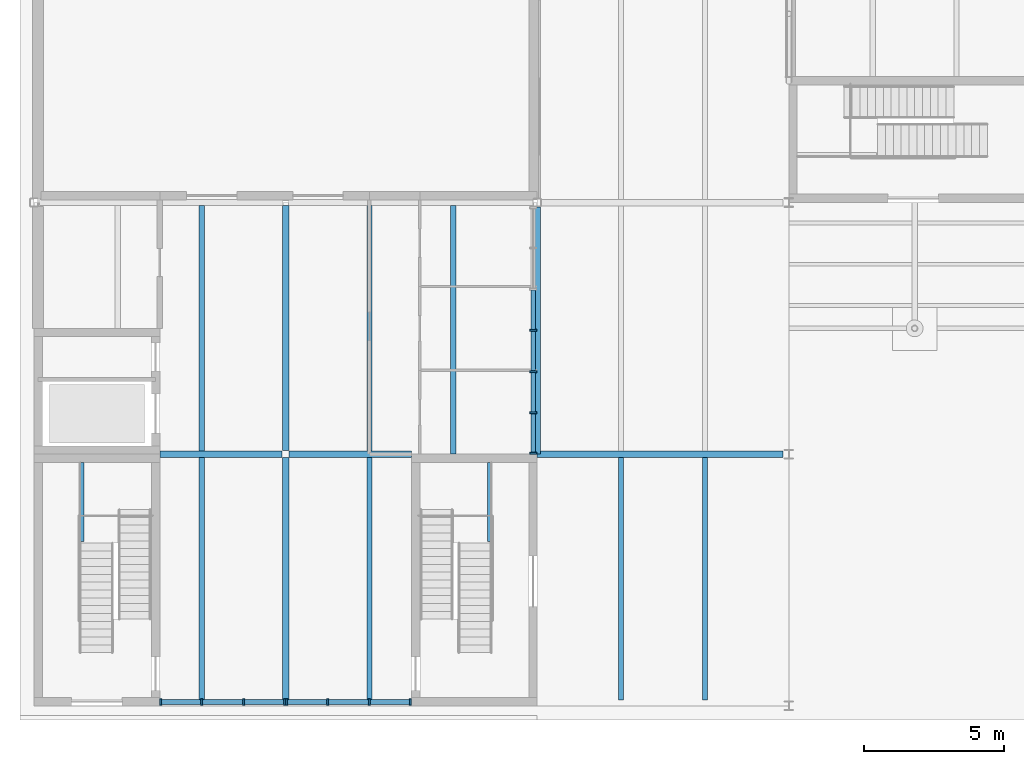
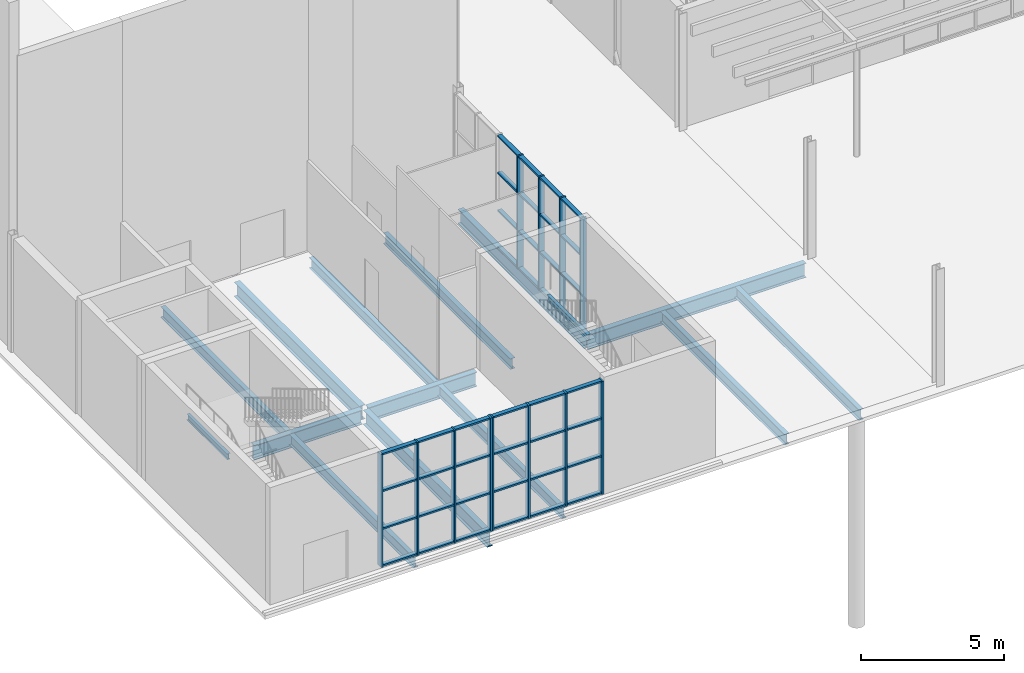
# One storey, part 10 of 63: 52 members, 15 beams, 3 elements without a shape of their own.
"""IFC4 building model written with IfcOpenShell, lengths in metres."""

from ifc_helpers import new_model, si_unit, direction, frame, origin, origin_2d, place, context, subcontext, project, spatial, rectangle, i_section, extrude, material, layer, layer_set, material_profile, profile_set, type_object, element, aggregate, save


model = new_model("IFC4")

# Units and contexts
model_context = context("Model", 3, precision=1e-05, world=origin(), true_north=direction((0.0, 1.0)))
body_context = subcontext(model_context, "Body", "Model", "MODEL_VIEW")
ifc_project = project(units=[si_unit("LENGTHUNIT", "METRE"), si_unit("AREAUNIT", "SQUARE_METRE"), si_unit("VOLUMEUNIT", "CUBIC_METRE"), si_unit("PLANEANGLEUNIT", "RADIAN"), si_unit("MASSUNIT", "GRAM", prefix="KILO")], contexts=[model_context])

# Site, building, storey
site_placement = place(None, origin())
site = spatial("IfcSite", under=ifc_project, at=site_placement, CompositionType="ELEMENT")
building_placement = place(site_placement, origin())
building = spatial("IfcBuilding", under=site, at=building_placement, Name="Halyard Row Museum", CompositionType="ELEMENT")
storey_placement = place(building_placement, origin())
storey = spatial("IfcBuildingStorey", under=building, at=storey_placement, Name="L00", CompositionType="ELEMENT", Elevation=0.0)

# Curtain wall, members
ifc_material_1 = material(Name="Acoustic laminated double glazed unit", Category="glass")
ifc_layer = layer(ifc_material_1, 0.239990234375)
ifc_layer_set = layer_set([ifc_layer], Name="Acoustic laminated double glazed unit")
curtain_wall_type = type_object("IfcCurtainWallType", Name="Curtain wall foyer 240 deep", PredefinedType="NOTDEFINED", material=ifc_layer_set)
curtain_wall_1_placement = place(storey_placement, origin())
curtain_wall_1 = element("IfcCurtainWall", 1, at=curtain_wall_1_placement, inside=storey, type_object=curtain_wall_type, Name="Curtain wall CW017", PredefinedType="NOTDEFINED")
ifc_material_2 = material(Name="Powder-coated aluminium section", Category="aluminium")
ifc_material_profile_1 = material_profile(ifc_material_2, rectangle(XDim=0.239990234375, YDim=0.070068359375, at=origin_2d()), Name="240x70 mullion")
ifc_profile_set_1 = profile_set([ifc_material_profile_1], Name="Powder-coated aluminium section")
member_type_1 = type_object("IfcMemberType", Name="Curtain wall mullion CM4 70 x 240", PredefinedType="MULLION", material=ifc_profile_set_1)
member_1_placement = place(storey_placement, frame((4.534912109375, 0.139892578125, 0.0), z_axis=(0.0, 0.0, 1.0), x_axis=(0.0, 1.0, 0.0)))
member_1 = element("IfcMember", 2, at=member_1_placement, type_object=member_type_1, Name="CW017 mullion 1", PredefinedType="MULLION", context=body_context, shape_type="SweptSolid", body=[
    extrude(rectangle(XDim=0.239990234375, YDim=0.070068359375, at=origin_2d()), origin(), (0.0, 0.0, 1.0), 4.8349609375),
])
member_2_placement = place(storey_placement, frame((6.0, 0.139892578125, 0.0), z_axis=(0.0, 0.0, 1.0), x_axis=(0.0, 1.0, 0.0)))
member_2 = element("IfcMember", 3, at=member_2_placement, type_object=member_type_1, Name="CW017 mullion 2", PredefinedType="MULLION", context=body_context, shape_type="SweptSolid", body=[
    extrude(rectangle(XDim=0.239990234375, YDim=0.070068359375, at=origin_2d()), origin(), (0.0, 0.0, 1.0), 4.8349609375),
])
member_3_placement = place(storey_placement, frame((7.5, 0.139892578125, 0.0), z_axis=(0.0, 0.0, 1.0), x_axis=(0.0, 1.0, 0.0)))
member_3 = element("IfcMember", 4, at=member_3_placement, type_object=member_type_1, Name="CW017 mullion 3", PredefinedType="MULLION", context=body_context, shape_type="SweptSolid", body=[
    extrude(rectangle(XDim=0.239990234375, YDim=0.070068359375, at=origin_2d()), origin(), (0.0, 0.0, 1.0), 4.8349609375),
])
member_4_placement = place(storey_placement, frame((8.965087890625, 0.139892578125, 0.0), z_axis=(0.0, 0.0, 1.0), x_axis=(0.0, 1.0, 0.0)))
member_4 = element("IfcMember", 5, at=member_4_placement, type_object=member_type_1, Name="CW017 mullion 4", PredefinedType="MULLION", context=body_context, shape_type="SweptSolid", body=[
    extrude(rectangle(XDim=0.239990234375, YDim=0.070068359375, at=origin_2d()), origin(), (0.0, 0.0, 1.0), 4.8349609375),
])

curtain_wall_2_placement = place(storey_placement, origin())
curtain_wall_2 = element("IfcCurtainWall", 6, at=curtain_wall_2_placement, inside=storey, type_object=curtain_wall_type, Name="Curtain wall CW018", PredefinedType="NOTDEFINED")
member_5_placement = place(storey_placement, frame((9.034912109375, 0.139892578125, 0.0), z_axis=(0.0, 0.0, 1.0), x_axis=(0.0, 1.0, 0.0)))
member_5 = element("IfcMember", 7, at=member_5_placement, type_object=member_type_1, Name="CW018 mullion 1", PredefinedType="MULLION", context=body_context, shape_type="SweptSolid", body=[
    extrude(rectangle(XDim=0.239990234375, YDim=0.070068359375, at=origin_2d()), origin(), (0.0, 0.0, 1.0), 4.8349609375),
])
member_6_placement = place(storey_placement, frame((10.5, 0.139892578125, 0.0), z_axis=(0.0, 0.0, 1.0), x_axis=(0.0, 1.0, 0.0)))
member_6 = element("IfcMember", 8, at=member_6_placement, type_object=member_type_1, Name="CW018 mullion 2", PredefinedType="MULLION", context=body_context, shape_type="SweptSolid", body=[
    extrude(rectangle(XDim=0.239990234375, YDim=0.070068359375, at=origin_2d()), origin(), (0.0, 0.0, 1.0), 4.8349609375),
])
member_7_placement = place(storey_placement, frame((12.0, 0.139892578125, 0.0), z_axis=(0.0, 0.0, 1.0), x_axis=(0.0, 1.0, 0.0)))
member_7 = element("IfcMember", 9, at=member_7_placement, type_object=member_type_1, Name="CW018 mullion 3", PredefinedType="MULLION", context=body_context, shape_type="SweptSolid", body=[
    extrude(rectangle(XDim=0.239990234375, YDim=0.070068359375, at=origin_2d()), origin(), (0.0, 0.0, 1.0), 4.8349609375),
])
member_8_placement = place(storey_placement, frame((13.465087890625, 0.139892578125, 0.0), z_axis=(0.0, 0.0, 1.0), x_axis=(0.0, 1.0, 0.0)))
member_8 = element("IfcMember", 10, at=member_8_placement, type_object=member_type_1, Name="CW018 mullion 4", PredefinedType="MULLION", context=body_context, shape_type="SweptSolid", body=[
    extrude(rectangle(XDim=0.239990234375, YDim=0.070068359375, at=origin_2d()), origin(), (0.0, 0.0, 1.0), 4.8349609375),
])

curtain_wall_3_placement = place(storey_placement, origin())
curtain_wall_3 = element("IfcCurtainWall", 11, at=curtain_wall_3_placement, inside=storey, type_object=curtain_wall_type, Name="Curtain wall CW019", PredefinedType="NOTDEFINED")
member_9_placement = place(storey_placement, frame((17.860107421875, 9.034912109375, 0.0), z_axis=(0.0, 0.0, 1.0), x_axis=(-1.0, 0.0, 0.0)))
member_9 = element("IfcMember", 12, at=member_9_placement, type_object=member_type_1, Name="CW019 mullion 1", PredefinedType="MULLION", context=body_context, shape_type="SweptSolid", body=[
    extrude(rectangle(XDim=0.239990234375, YDim=0.070068359375, at=origin_2d()), origin(), (0.0, 0.0, 1.0), 4.8349609375),
])
member_10_placement = place(storey_placement, frame((17.860107421875, 10.47509765625, 0.0), z_axis=(0.0, 0.0, 1.0), x_axis=(-1.0, 0.0, 0.0)))
member_10 = element("IfcMember", 13, at=member_10_placement, type_object=member_type_1, Name="CW019 mullion 2", PredefinedType="MULLION", context=body_context, shape_type="SweptSolid", body=[
    extrude(rectangle(XDim=0.239990234375, YDim=0.070068359375, at=origin_2d()), origin(), (0.0, 0.0, 1.0), 4.8349609375),
])
member_11_placement = place(storey_placement, frame((17.860107421875, 11.949951171875, 0.0), z_axis=(0.0, 0.0, 1.0), x_axis=(-1.0, 0.0, 0.0)))
member_11 = element("IfcMember", 14, at=member_11_placement, type_object=member_type_1, Name="CW019 mullion 3", PredefinedType="MULLION", context=body_context, shape_type="SweptSolid", body=[
    extrude(rectangle(XDim=0.239990234375, YDim=0.070068359375, at=origin_2d()), origin(), (0.0, 0.0, 1.0), 4.8349609375),
])
member_12_placement = place(storey_placement, frame((17.860107421875, 13.425048828125, 0.0), z_axis=(0.0, 0.0, 1.0), x_axis=(-1.0, 0.0, 0.0)))
member_12 = element("IfcMember", 15, at=member_12_placement, type_object=member_type_1, Name="CW019 mullion 4", PredefinedType="MULLION", context=body_context, shape_type="SweptSolid", body=[
    extrude(rectangle(XDim=0.239990234375, YDim=0.070068359375, at=origin_2d()), origin(), (0.0, 0.0, 1.0), 4.8349609375),
])

# Member
ifc_material_3 = material(Name="Powder-coated aluminium section", Category="aluminium")
ifc_material_profile_2 = material_profile(ifc_material_3, rectangle(XDim=0.169921875, YDim=0.070068359375, at=origin_2d()), Name="170x70 transom")
ifc_profile_set_2 = profile_set([ifc_material_profile_2], Name="Powder-coated aluminium section")
member_type_2 = type_object("IfcMemberType", Name="Curtain wall transom CT4 70 x 170", PredefinedType="USERDEFINED", material=ifc_profile_set_2)
member_13_placement = place(storey_placement, frame((4.570068359375, 0.139892578125, 0.034912109375), z_axis=(1.0, 0.0, 0.0), x_axis=(0.0, 1.0, 0.0)))
member_13 = element("IfcMember", 16, at=member_13_placement, type_object=member_type_2, Name="CW017 transom 1.1", ObjectType="TRANSOM", PredefinedType="USERDEFINED", context=body_context, shape_type="SweptSolid", body=[
    extrude(rectangle(XDim=0.169921875, YDim=0.070068359375, at=origin_2d()), origin(), (0.0, 0.0, 1.0), 1.39501953125),
])

member_14_placement = place(storey_placement, frame((4.570068359375, 0.139892578125, 1.611572265625), z_axis=(1.0, 0.0, 0.0), x_axis=(0.0, 1.0, 0.0)))
member_14 = element("IfcMember", 17, at=member_14_placement, type_object=member_type_2, Name="CW017 transom 1.2", ObjectType="TRANSOM", PredefinedType="USERDEFINED", context=body_context, shape_type="SweptSolid", body=[
    extrude(rectangle(XDim=0.169921875, YDim=0.070068359375, at=origin_2d()), origin(), (0.0, 0.0, 1.0), 1.39501953125),
])

member_15_placement = place(storey_placement, frame((4.570068359375, 0.139892578125, 3.223388671875), z_axis=(1.0, 0.0, 0.0), x_axis=(0.0, 1.0, 0.0)))
member_15 = element("IfcMember", 18, at=member_15_placement, type_object=member_type_2, Name="CW017 transom 1.3", ObjectType="TRANSOM", PredefinedType="USERDEFINED", context=body_context, shape_type="SweptSolid", body=[
    extrude(rectangle(XDim=0.169921875, YDim=0.070068359375, at=origin_2d()), origin(), (0.0, 0.0, 1.0), 1.39501953125),
])

member_16_placement = place(storey_placement, frame((4.570068359375, 0.139892578125, 4.800048828125), z_axis=(1.0, 0.0, 0.0), x_axis=(0.0, 1.0, 0.0)))
member_16 = element("IfcMember", 19, at=member_16_placement, type_object=member_type_2, Name="CW017 transom 1.4", ObjectType="TRANSOM", PredefinedType="USERDEFINED", context=body_context, shape_type="SweptSolid", body=[
    extrude(rectangle(XDim=0.169921875, YDim=0.070068359375, at=origin_2d()), origin(), (0.0, 0.0, 1.0), 1.39501953125),
])

member_17_placement = place(storey_placement, frame((6.034912109375, 0.139892578125, 0.034912109375), z_axis=(1.0, 0.0, 0.0), x_axis=(0.0, 1.0, 0.0)))
member_17 = element("IfcMember", 20, at=member_17_placement, type_object=member_type_2, Name="CW017 transom 2.1", ObjectType="TRANSOM", PredefinedType="USERDEFINED", context=body_context, shape_type="SweptSolid", body=[
    extrude(rectangle(XDim=0.169921875, YDim=0.070068359375, at=origin_2d()), origin(), (0.0, 0.0, 1.0), 1.43017578125),
])

member_18_placement = place(storey_placement, frame((6.034912109375, 0.139892578125, 1.611572265625), z_axis=(1.0, 0.0, 0.0), x_axis=(0.0, 1.0, 0.0)))
member_18 = element("IfcMember", 21, at=member_18_placement, type_object=member_type_2, Name="CW017 transom 2.2", ObjectType="TRANSOM", PredefinedType="USERDEFINED", context=body_context, shape_type="SweptSolid", body=[
    extrude(rectangle(XDim=0.169921875, YDim=0.070068359375, at=origin_2d()), origin(), (0.0, 0.0, 1.0), 1.43017578125),
])

member_19_placement = place(storey_placement, frame((6.034912109375, 0.139892578125, 3.223388671875), z_axis=(1.0, 0.0, 0.0), x_axis=(0.0, 1.0, 0.0)))
member_19 = element("IfcMember", 22, at=member_19_placement, type_object=member_type_2, Name="CW017 transom 2.3", ObjectType="TRANSOM", PredefinedType="USERDEFINED", context=body_context, shape_type="SweptSolid", body=[
    extrude(rectangle(XDim=0.169921875, YDim=0.070068359375, at=origin_2d()), origin(), (0.0, 0.0, 1.0), 1.43017578125),
])

member_20_placement = place(storey_placement, frame((6.034912109375, 0.139892578125, 4.800048828125), z_axis=(1.0, 0.0, 0.0), x_axis=(0.0, 1.0, 0.0)))
member_20 = element("IfcMember", 23, at=member_20_placement, type_object=member_type_2, Name="CW017 transom 2.4", ObjectType="TRANSOM", PredefinedType="USERDEFINED", context=body_context, shape_type="SweptSolid", body=[
    extrude(rectangle(XDim=0.169921875, YDim=0.070068359375, at=origin_2d()), origin(), (0.0, 0.0, 1.0), 1.43017578125),
])

member_21_placement = place(storey_placement, frame((7.534912109375, 0.139892578125, 0.034912109375), z_axis=(1.0, 0.0, 0.0), x_axis=(0.0, 1.0, 0.0)))
member_21 = element("IfcMember", 24, at=member_21_placement, type_object=member_type_2, Name="CW017 transom 3.1", ObjectType="TRANSOM", PredefinedType="USERDEFINED", context=body_context, shape_type="SweptSolid", body=[
    extrude(rectangle(XDim=0.169921875, YDim=0.070068359375, at=origin_2d()), origin(), (0.0, 0.0, 1.0), 1.39501953125),
])

member_22_placement = place(storey_placement, frame((7.534912109375, 0.139892578125, 1.611572265625), z_axis=(1.0, 0.0, 0.0), x_axis=(0.0, 1.0, 0.0)))
member_22 = element("IfcMember", 25, at=member_22_placement, type_object=member_type_2, Name="CW017 transom 3.2", ObjectType="TRANSOM", PredefinedType="USERDEFINED", context=body_context, shape_type="SweptSolid", body=[
    extrude(rectangle(XDim=0.169921875, YDim=0.070068359375, at=origin_2d()), origin(), (0.0, 0.0, 1.0), 1.39501953125),
])

member_23_placement = place(storey_placement, frame((7.534912109375, 0.139892578125, 3.223388671875), z_axis=(1.0, 0.0, 0.0), x_axis=(0.0, 1.0, 0.0)))
member_23 = element("IfcMember", 26, at=member_23_placement, type_object=member_type_2, Name="CW017 transom 3.3", ObjectType="TRANSOM", PredefinedType="USERDEFINED", context=body_context, shape_type="SweptSolid", body=[
    extrude(rectangle(XDim=0.169921875, YDim=0.070068359375, at=origin_2d()), origin(), (0.0, 0.0, 1.0), 1.39501953125),
])

member_24_placement = place(storey_placement, frame((7.534912109375, 0.139892578125, 4.800048828125), z_axis=(1.0, 0.0, 0.0), x_axis=(0.0, 1.0, 0.0)))
member_24 = element("IfcMember", 27, at=member_24_placement, type_object=member_type_2, Name="CW017 transom 3.4", ObjectType="TRANSOM", PredefinedType="USERDEFINED", context=body_context, shape_type="SweptSolid", body=[
    extrude(rectangle(XDim=0.169921875, YDim=0.070068359375, at=origin_2d()), origin(), (0.0, 0.0, 1.0), 1.39501953125),
])

aggregate(curtain_wall_1, [member_1, member_2, member_3, member_4, member_13, member_14, member_15, member_16, member_17, member_18, member_19, member_20, member_21, member_22, member_23, member_24])

member_25_placement = place(storey_placement, frame((9.070068359375, 0.139892578125, 0.034912109375), z_axis=(1.0, 0.0, 0.0), x_axis=(0.0, 1.0, 0.0)))
member_25 = element("IfcMember", 28, at=member_25_placement, type_object=member_type_2, Name="CW018 transom 1.1", ObjectType="TRANSOM", PredefinedType="USERDEFINED", context=body_context, shape_type="SweptSolid", body=[
    extrude(rectangle(XDim=0.169921875, YDim=0.070068359375, at=origin_2d()), origin(), (0.0, 0.0, 1.0), 1.39501953125),
])

member_26_placement = place(storey_placement, frame((9.070068359375, 0.139892578125, 1.611572265625), z_axis=(1.0, 0.0, 0.0), x_axis=(0.0, 1.0, 0.0)))
member_26 = element("IfcMember", 29, at=member_26_placement, type_object=member_type_2, Name="CW018 transom 1.2", ObjectType="TRANSOM", PredefinedType="USERDEFINED", context=body_context, shape_type="SweptSolid", body=[
    extrude(rectangle(XDim=0.169921875, YDim=0.070068359375, at=origin_2d()), origin(), (0.0, 0.0, 1.0), 1.39501953125),
])

member_27_placement = place(storey_placement, frame((9.070068359375, 0.139892578125, 3.223388671875), z_axis=(1.0, 0.0, 0.0), x_axis=(0.0, 1.0, 0.0)))
member_27 = element("IfcMember", 30, at=member_27_placement, type_object=member_type_2, Name="CW018 transom 1.3", ObjectType="TRANSOM", PredefinedType="USERDEFINED", context=body_context, shape_type="SweptSolid", body=[
    extrude(rectangle(XDim=0.169921875, YDim=0.070068359375, at=origin_2d()), origin(), (0.0, 0.0, 1.0), 1.39501953125),
])

member_28_placement = place(storey_placement, frame((9.070068359375, 0.139892578125, 4.800048828125), z_axis=(1.0, 0.0, 0.0), x_axis=(0.0, 1.0, 0.0)))
member_28 = element("IfcMember", 31, at=member_28_placement, type_object=member_type_2, Name="CW018 transom 1.4", ObjectType="TRANSOM", PredefinedType="USERDEFINED", context=body_context, shape_type="SweptSolid", body=[
    extrude(rectangle(XDim=0.169921875, YDim=0.070068359375, at=origin_2d()), origin(), (0.0, 0.0, 1.0), 1.39501953125),
])

member_29_placement = place(storey_placement, frame((10.534912109375, 0.139892578125, 0.034912109375), z_axis=(1.0, 0.0, 0.0), x_axis=(0.0, 1.0, 0.0)))
member_29 = element("IfcMember", 32, at=member_29_placement, type_object=member_type_2, Name="CW018 transom 2.1", ObjectType="TRANSOM", PredefinedType="USERDEFINED", context=body_context, shape_type="SweptSolid", body=[
    extrude(rectangle(XDim=0.169921875, YDim=0.070068359375, at=origin_2d()), origin(), (0.0, 0.0, 1.0), 1.43017578125),
])

member_30_placement = place(storey_placement, frame((10.534912109375, 0.139892578125, 1.611572265625), z_axis=(1.0, 0.0, 0.0), x_axis=(0.0, 1.0, 0.0)))
member_30 = element("IfcMember", 33, at=member_30_placement, type_object=member_type_2, Name="CW018 transom 2.2", ObjectType="TRANSOM", PredefinedType="USERDEFINED", context=body_context, shape_type="SweptSolid", body=[
    extrude(rectangle(XDim=0.169921875, YDim=0.070068359375, at=origin_2d()), origin(), (0.0, 0.0, 1.0), 1.43017578125),
])

member_31_placement = place(storey_placement, frame((10.534912109375, 0.139892578125, 3.223388671875), z_axis=(1.0, 0.0, 0.0), x_axis=(0.0, 1.0, 0.0)))
member_31 = element("IfcMember", 34, at=member_31_placement, type_object=member_type_2, Name="CW018 transom 2.3", ObjectType="TRANSOM", PredefinedType="USERDEFINED", context=body_context, shape_type="SweptSolid", body=[
    extrude(rectangle(XDim=0.169921875, YDim=0.070068359375, at=origin_2d()), origin(), (0.0, 0.0, 1.0), 1.43017578125),
])

member_32_placement = place(storey_placement, frame((10.534912109375, 0.139892578125, 4.800048828125), z_axis=(1.0, 0.0, 0.0), x_axis=(0.0, 1.0, 0.0)))
member_32 = element("IfcMember", 35, at=member_32_placement, type_object=member_type_2, Name="CW018 transom 2.4", ObjectType="TRANSOM", PredefinedType="USERDEFINED", context=body_context, shape_type="SweptSolid", body=[
    extrude(rectangle(XDim=0.169921875, YDim=0.070068359375, at=origin_2d()), origin(), (0.0, 0.0, 1.0), 1.43017578125),
])

member_33_placement = place(storey_placement, frame((12.034912109375, 0.139892578125, 0.034912109375), z_axis=(1.0, 0.0, 0.0), x_axis=(0.0, 1.0, 0.0)))
member_33 = element("IfcMember", 36, at=member_33_placement, type_object=member_type_2, Name="CW018 transom 3.1", ObjectType="TRANSOM", PredefinedType="USERDEFINED", context=body_context, shape_type="SweptSolid", body=[
    extrude(rectangle(XDim=0.169921875, YDim=0.070068359375, at=origin_2d()), origin(), (0.0, 0.0, 1.0), 1.39501953125),
])

member_34_placement = place(storey_placement, frame((12.034912109375, 0.139892578125, 1.611572265625), z_axis=(1.0, 0.0, 0.0), x_axis=(0.0, 1.0, 0.0)))
member_34 = element("IfcMember", 37, at=member_34_placement, type_object=member_type_2, Name="CW018 transom 3.2", ObjectType="TRANSOM", PredefinedType="USERDEFINED", context=body_context, shape_type="SweptSolid", body=[
    extrude(rectangle(XDim=0.169921875, YDim=0.070068359375, at=origin_2d()), origin(), (0.0, 0.0, 1.0), 1.39501953125),
])

member_35_placement = place(storey_placement, frame((12.034912109375, 0.139892578125, 3.223388671875), z_axis=(1.0, 0.0, 0.0), x_axis=(0.0, 1.0, 0.0)))
member_35 = element("IfcMember", 38, at=member_35_placement, type_object=member_type_2, Name="CW018 transom 3.3", ObjectType="TRANSOM", PredefinedType="USERDEFINED", context=body_context, shape_type="SweptSolid", body=[
    extrude(rectangle(XDim=0.169921875, YDim=0.070068359375, at=origin_2d()), origin(), (0.0, 0.0, 1.0), 1.39501953125),
])

member_36_placement = place(storey_placement, frame((12.034912109375, 0.139892578125, 4.800048828125), z_axis=(1.0, 0.0, 0.0), x_axis=(0.0, 1.0, 0.0)))
member_36 = element("IfcMember", 39, at=member_36_placement, type_object=member_type_2, Name="CW018 transom 3.4", ObjectType="TRANSOM", PredefinedType="USERDEFINED", context=body_context, shape_type="SweptSolid", body=[
    extrude(rectangle(XDim=0.169921875, YDim=0.070068359375, at=origin_2d()), origin(), (0.0, 0.0, 1.0), 1.39501953125),
])

aggregate(curtain_wall_2, [member_5, member_6, member_7, member_8, member_25, member_26, member_27, member_28, member_29, member_30, member_31, member_32, member_33, member_34, member_35, member_36])

member_37_placement = place(storey_placement, frame((17.860107421875, 9.070068359375, 0.034912109375), z_axis=(0.0, 1.0, 0.0), x_axis=(-1.0, 0.0, 0.0)))
member_37 = element("IfcMember", 40, at=member_37_placement, type_object=member_type_2, Name="CW019 transom 1.1", ObjectType="TRANSOM", PredefinedType="USERDEFINED", context=body_context, shape_type="SweptSolid", body=[
    extrude(rectangle(XDim=0.169921875, YDim=0.070068359375, at=origin_2d()), origin(), (0.0, 0.0, 1.0), 1.369873046875),
])

member_38_placement = place(storey_placement, frame((17.860107421875, 9.070068359375, 1.611572265625), z_axis=(0.0, 1.0, 0.0), x_axis=(-1.0, 0.0, 0.0)))
member_38 = element("IfcMember", 41, at=member_38_placement, type_object=member_type_2, Name="CW019 transom 1.2", ObjectType="TRANSOM", PredefinedType="USERDEFINED", context=body_context, shape_type="SweptSolid", body=[
    extrude(rectangle(XDim=0.169921875, YDim=0.070068359375, at=origin_2d()), origin(), (0.0, 0.0, 1.0), 1.369873046875),
])

member_39_placement = place(storey_placement, frame((17.860107421875, 9.070068359375, 3.223388671875), z_axis=(0.0, 1.0, 0.0), x_axis=(-1.0, 0.0, 0.0)))
member_39 = element("IfcMember", 42, at=member_39_placement, type_object=member_type_2, Name="CW019 transom 1.3", ObjectType="TRANSOM", PredefinedType="USERDEFINED", context=body_context, shape_type="SweptSolid", body=[
    extrude(rectangle(XDim=0.169921875, YDim=0.070068359375, at=origin_2d()), origin(), (0.0, 0.0, 1.0), 1.369873046875),
])

member_40_placement = place(storey_placement, frame((17.860107421875, 9.070068359375, 4.800048828125), z_axis=(0.0, 1.0, 0.0), x_axis=(-1.0, 0.0, 0.0)))
member_40 = element("IfcMember", 43, at=member_40_placement, type_object=member_type_2, Name="CW019 transom 1.4", ObjectType="TRANSOM", PredefinedType="USERDEFINED", context=body_context, shape_type="SweptSolid", body=[
    extrude(rectangle(XDim=0.169921875, YDim=0.070068359375, at=origin_2d()), origin(), (0.0, 0.0, 1.0), 1.369873046875),
])

member_41_placement = place(storey_placement, frame((17.860107421875, 10.510009765625, 0.034912109375), z_axis=(0.0, 1.0, 0.0), x_axis=(-1.0, 0.0, 0.0)))
member_41 = element("IfcMember", 44, at=member_41_placement, type_object=member_type_2, Name="CW019 transom 2.1", ObjectType="TRANSOM", PredefinedType="USERDEFINED", context=body_context, shape_type="SweptSolid", body=[
    extrude(rectangle(XDim=0.169921875, YDim=0.070068359375, at=origin_2d()), origin(), (0.0, 0.0, 1.0), 1.405029296875),
])

member_42_placement = place(storey_placement, frame((17.860107421875, 10.510009765625, 1.611572265625), z_axis=(0.0, 1.0, 0.0), x_axis=(-1.0, 0.0, 0.0)))
member_42 = element("IfcMember", 45, at=member_42_placement, type_object=member_type_2, Name="CW019 transom 2.2", ObjectType="TRANSOM", PredefinedType="USERDEFINED", context=body_context, shape_type="SweptSolid", body=[
    extrude(rectangle(XDim=0.169921875, YDim=0.070068359375, at=origin_2d()), origin(), (0.0, 0.0, 1.0), 1.405029296875),
])

member_43_placement = place(storey_placement, frame((17.860107421875, 10.510009765625, 3.223388671875), z_axis=(0.0, 1.0, 0.0), x_axis=(-1.0, 0.0, 0.0)))
member_43 = element("IfcMember", 46, at=member_43_placement, type_object=member_type_2, Name="CW019 transom 2.3", ObjectType="TRANSOM", PredefinedType="USERDEFINED", context=body_context, shape_type="SweptSolid", body=[
    extrude(rectangle(XDim=0.169921875, YDim=0.070068359375, at=origin_2d()), origin(), (0.0, 0.0, 1.0), 1.405029296875),
])

member_44_placement = place(storey_placement, frame((17.860107421875, 10.510009765625, 4.800048828125), z_axis=(0.0, 1.0, 0.0), x_axis=(-1.0, 0.0, 0.0)))
member_44 = element("IfcMember", 47, at=member_44_placement, type_object=member_type_2, Name="CW019 transom 2.4", ObjectType="TRANSOM", PredefinedType="USERDEFINED", context=body_context, shape_type="SweptSolid", body=[
    extrude(rectangle(XDim=0.169921875, YDim=0.070068359375, at=origin_2d()), origin(), (0.0, 0.0, 1.0), 1.405029296875),
])

member_45_placement = place(storey_placement, frame((17.860107421875, 11.985107421875, 0.034912109375), z_axis=(0.0, 1.0, 0.0), x_axis=(-1.0, 0.0, 0.0)))
member_45 = element("IfcMember", 48, at=member_45_placement, type_object=member_type_2, Name="CW019 transom 3.1", ObjectType="TRANSOM", PredefinedType="USERDEFINED", context=body_context, shape_type="SweptSolid", body=[
    extrude(rectangle(XDim=0.169921875, YDim=0.070068359375, at=origin_2d()), origin(), (0.0, 0.0, 1.0), 1.40478515625),
])

member_46_placement = place(storey_placement, frame((17.860107421875, 11.985107421875, 1.611572265625), z_axis=(0.0, 1.0, 0.0), x_axis=(-1.0, 0.0, 0.0)))
member_46 = element("IfcMember", 49, at=member_46_placement, type_object=member_type_2, Name="CW019 transom 3.2", ObjectType="TRANSOM", PredefinedType="USERDEFINED", context=body_context, shape_type="SweptSolid", body=[
    extrude(rectangle(XDim=0.169921875, YDim=0.070068359375, at=origin_2d()), origin(), (0.0, 0.0, 1.0), 1.40478515625),
])

member_47_placement = place(storey_placement, frame((17.860107421875, 11.985107421875, 3.223388671875), z_axis=(0.0, 1.0, 0.0), x_axis=(-1.0, 0.0, 0.0)))
member_47 = element("IfcMember", 50, at=member_47_placement, type_object=member_type_2, Name="CW019 transom 3.3", ObjectType="TRANSOM", PredefinedType="USERDEFINED", context=body_context, shape_type="SweptSolid", body=[
    extrude(rectangle(XDim=0.169921875, YDim=0.070068359375, at=origin_2d()), origin(), (0.0, 0.0, 1.0), 1.40478515625),
])

member_48_placement = place(storey_placement, frame((17.860107421875, 11.985107421875, 4.800048828125), z_axis=(0.0, 1.0, 0.0), x_axis=(-1.0, 0.0, 0.0)))
member_48 = element("IfcMember", 51, at=member_48_placement, type_object=member_type_2, Name="CW019 transom 3.4", ObjectType="TRANSOM", PredefinedType="USERDEFINED", context=body_context, shape_type="SweptSolid", body=[
    extrude(rectangle(XDim=0.169921875, YDim=0.070068359375, at=origin_2d()), origin(), (0.0, 0.0, 1.0), 1.40478515625),
])

member_49_placement = place(storey_placement, frame((17.860107421875, 13.4599609375, 0.034912109375), z_axis=(0.0, 1.0, 0.0), x_axis=(-1.0, 0.0, 0.0)))
member_49 = element("IfcMember", 52, at=member_49_placement, type_object=member_type_2, Name="CW019 transom 4.1", ObjectType="TRANSOM", PredefinedType="USERDEFINED", context=body_context, shape_type="SweptSolid", body=[
    extrude(rectangle(XDim=0.169921875, YDim=0.070068359375, at=origin_2d()), origin(), (0.0, 0.0, 1.0), 1.405029296875),
])

member_50_placement = place(storey_placement, frame((17.860107421875, 13.4599609375, 1.611572265625), z_axis=(0.0, 1.0, 0.0), x_axis=(-1.0, 0.0, 0.0)))
member_50 = element("IfcMember", 53, at=member_50_placement, type_object=member_type_2, Name="CW019 transom 4.2", ObjectType="TRANSOM", PredefinedType="USERDEFINED", context=body_context, shape_type="SweptSolid", body=[
    extrude(rectangle(XDim=0.169921875, YDim=0.070068359375, at=origin_2d()), origin(), (0.0, 0.0, 1.0), 1.405029296875),
])

member_51_placement = place(storey_placement, frame((17.860107421875, 13.4599609375, 3.223388671875), z_axis=(0.0, 1.0, 0.0), x_axis=(-1.0, 0.0, 0.0)))
member_51 = element("IfcMember", 54, at=member_51_placement, type_object=member_type_2, Name="CW019 transom 4.3", ObjectType="TRANSOM", PredefinedType="USERDEFINED", context=body_context, shape_type="SweptSolid", body=[
    extrude(rectangle(XDim=0.169921875, YDim=0.070068359375, at=origin_2d()), origin(), (0.0, 0.0, 1.0), 1.405029296875),
])

member_52_placement = place(storey_placement, frame((17.860107421875, 13.4599609375, 4.800048828125), z_axis=(0.0, 1.0, 0.0), x_axis=(-1.0, 0.0, 0.0)))
member_52 = element("IfcMember", 55, at=member_52_placement, type_object=member_type_2, Name="CW019 transom 4.4", ObjectType="TRANSOM", PredefinedType="USERDEFINED", context=body_context, shape_type="SweptSolid", body=[
    extrude(rectangle(XDim=0.169921875, YDim=0.070068359375, at=origin_2d()), origin(), (0.0, 0.0, 1.0), 1.405029296875),
])

aggregate(curtain_wall_3, [member_9, member_10, member_11, member_12, member_37, member_38, member_39, member_40, member_41, member_42, member_43, member_44, member_45, member_46, member_47, member_48, member_49, member_50, member_51, member_52])

# Beams
ifc_material_4 = material(Name="Steel Grade 300", Category="steel")
ifc_material_profile_3 = material_profile(ifc_material_4, i_section(OverallWidth=0.22900390625, OverallDepth=0.611572265625, WebThickness=0.011962890625, FlangeThickness=0.01953125, FilletRadius=0.013916015625, at=origin_2d()), Name="610UB125")
ifc_profile_set_3 = profile_set([ifc_material_profile_3], Name="Steel Grade 300")
beam_type_1 = type_object("IfcBeamType", Name="Girder beam 610UB125", PredefinedType="BEAM", material=ifc_profile_set_3)
for number, where, z_axis, x_axis, name in (
    (56, (4.5, 9.0, -0.470703125), (1.0, 0.0, 0.0), (0.0, 1.0, 0.0), "Beam L00-001"),
    (57, (9.126953125, 9.0, -0.470703125), (1.0, 0.0, 0.0), (0.0, 1.0, 0.0), "Beam L00-002"),
):
    element("IfcBeam", number, at=place(storey_placement, frame(where, z_axis=z_axis, x_axis=x_axis)), inside=storey, type_object=beam_type_1, Name=name, PredefinedType="BEAM", context=body_context, shape_type="SweptSolid", body=[
        extrude(i_section(OverallWidth=0.22900390625, OverallDepth=0.611572265625, WebThickness=0.011962890625, FlangeThickness=0.01953125, FilletRadius=0.013916015625, at=origin_2d()), origin(), (0.0, 0.0, 1.0), 4.373046875),
    ])
beam_1_placement = place(storey_placement, frame((18.0, 9.0, -0.470703125), z_axis=(1.0, 0.0, 0.0), x_axis=(0.0, 1.0, 0.0)))
element("IfcBeam", 58, at=beam_1_placement, inside=storey, type_object=beam_type_1, Name="Beam L00-003", PredefinedType="BEAM", context=body_context, shape_type="SweptSolid", body=[
    extrude(i_section(OverallWidth=0.22900390625, OverallDepth=0.611572265625, WebThickness=0.011962890625, FlangeThickness=0.01953125, FilletRadius=0.013916015625, at=origin_2d()), origin(), (0.0, 0.0, 1.0), 8.800048828125),
])
beam_2_placement = place(storey_placement, frame((9.0, 0.199951171875, -0.470703125), z_axis=(0.0, 1.0, 0.0), x_axis=(-1.0, 0.0, 0.0)))
element("IfcBeam", 59, at=beam_2_placement, inside=storey, type_object=beam_type_1, Name="Beam L00-039", PredefinedType="BEAM", context=body_context, shape_type="SweptSolid", body=[
    extrude(i_section(OverallWidth=0.22900390625, OverallDepth=0.611572265625, WebThickness=0.011962890625, FlangeThickness=0.01953125, FilletRadius=0.013916015625, at=origin_2d()), origin(), (0.0, 0.0, 1.0), 8.673095703125),
])
beam_3_placement = place(storey_placement, frame((9.0, 9.126953125, -0.470703125), z_axis=(0.0, 1.0, 0.0), x_axis=(-1.0, 0.0, 0.0)))
element("IfcBeam", 60, at=beam_3_placement, inside=storey, type_object=beam_type_1, Name="Beam L00-040", PredefinedType="BEAM", context=body_context, shape_type="SweptSolid", body=[
    extrude(i_section(OverallWidth=0.22900390625, OverallDepth=0.611572265625, WebThickness=0.011962890625, FlangeThickness=0.01953125, FilletRadius=0.013916015625, at=origin_2d()), origin(), (0.0, 0.0, 1.0), 8.771240234375),
])
beam_4_placement = place(storey_placement, frame((18.0, 9.0, -0.470703125), z_axis=(0.0, 1.0, 0.0), x_axis=(-1.0, 0.0, 0.0)))
element("IfcBeam", 61, at=beam_4_placement, inside=storey, type_object=beam_type_1, Name="Beam L00-041", PredefinedType="BEAM", context=body_context, shape_type="SweptSolid", body=[
    extrude(i_section(OverallWidth=0.22900390625, OverallDepth=0.611572265625, WebThickness=0.011962890625, FlangeThickness=0.01953125, FilletRadius=0.013916015625, at=origin_2d()), origin(), (0.0, 0.0, 1.0), 8.83642578125),
])
ifc_material_5 = material(Name="Steel Grade 300", Category="steel")
ifc_material_profile_4 = material_profile(ifc_material_5, i_section(OverallWidth=0.1240234375, OverallDepth=0.248046875, WebThickness=0.0048828125, FlangeThickness=0.008056640625, FilletRadius=0.011962890625, at=origin_2d()), Name="250UB25.7")
ifc_profile_set_4 = profile_set([ifc_material_profile_4], Name="Steel Grade 300")
beam_type_2 = type_object("IfcBeamType", Name="Landing trimmer 250UB25.7", PredefinedType="BEAM", material=ifc_profile_set_4)
for number, where, z_axis, x_axis, name in (
    (62, (16.278076171875, 8.702880859375, 2.176025390625), (0.0, -1.0, 0.0), (1.0, 0.0, 0.0), "Landing ledger K3E L00 1"),
    (63, (1.721923828125, 8.702880859375, 2.176025390625), (0.0, -1.0, 0.0), (1.0, 0.0, 0.0), "Landing ledger K3S L00 1"),
):
    element("IfcBeam", number, at=place(storey_placement, frame(where, z_axis=z_axis, x_axis=x_axis)), inside=storey, type_object=beam_type_2, Name=name, PredefinedType="BEAM", context=body_context, shape_type="SweptSolid", body=[
        extrude(i_section(OverallWidth=0.1240234375, OverallDepth=0.248046875, WebThickness=0.0048828125, FlangeThickness=0.008056640625, FilletRadius=0.011962890625, at=origin_2d()), origin(), (0.0, 0.0, 1.0), 2.832763671875),
    ])
ifc_material_6 = material(Name="Steel Grade 300", Category="steel")
ifc_material_profile_5 = material_profile(ifc_material_6, i_section(OverallWidth=0.18994140625, OverallDepth=0.453857421875, WebThickness=0.008544921875, FlangeThickness=0.0126953125, FilletRadius=0.011474609375, at=origin_2d()), Name="460UB67.1")
ifc_profile_set_5 = profile_set([ifc_material_profile_5], Name="Steel Grade 300")
beam_type_3 = type_object("IfcBeamType", Name="Secondary beam 460UB67.1", PredefinedType="BEAM", material=ifc_profile_set_5)
for number, where, z_axis, x_axis, name in (
    (64, (6.0, 0.199951171875, -0.391845703125), (0.0, 1.0, 0.0), (-1.0, 0.0, 0.0), "Beam L00-079"),
    (65, (12.0, 0.199951171875, -0.391845703125), (0.0, 1.0, 0.0), (-1.0, 0.0, 0.0), "Beam L00-080"),
    (66, (21.0, 0.199951171875, -0.391845703125), (0.0, 1.0, 0.0), (-1.0, 0.0, 0.0), "Beam L00-081"),
    (67, (24.0, 0.199951171875, -0.391845703125), (0.0, 1.0, 0.0), (-1.0, 0.0, 0.0), "Beam L00-082"),
):
    element("IfcBeam", number, at=place(storey_placement, frame(where, z_axis=z_axis, x_axis=x_axis)), inside=storey, type_object=beam_type_3, Name=name, PredefinedType="BEAM", context=body_context, shape_type="SweptSolid", body=[
        extrude(i_section(OverallWidth=0.18994140625, OverallDepth=0.453857421875, WebThickness=0.008544921875, FlangeThickness=0.0126953125, FilletRadius=0.011474609375, at=origin_2d()), origin(), (0.0, 0.0, 1.0), 8.685546875),
    ])
beam_5_placement = place(storey_placement, frame((15.0, 9.0, -0.391845703125), z_axis=(0.0, 1.0, 0.0), x_axis=(-1.0, 0.0, 0.0)))
element("IfcBeam", 68, at=beam_5_placement, inside=storey, type_object=beam_type_3, Name="Beam L00-089", PredefinedType="BEAM", context=body_context, shape_type="SweptSolid", body=[
    extrude(i_section(OverallWidth=0.18994140625, OverallDepth=0.453857421875, WebThickness=0.008544921875, FlangeThickness=0.0126953125, FilletRadius=0.011474609375, at=origin_2d()), origin(), (0.0, 0.0, 1.0), 8.885986328125),
])
for number, where, z_axis, x_axis, name in (
    (69, (6.0, 9.114501953125, -0.391845703125), (0.0, 1.0, 0.0), (-1.0, 0.0, 0.0), "Beam L00-092"),
    (70, (12.0, 9.114501953125, -0.391845703125), (0.0, 1.0, 0.0), (-1.0, 0.0, 0.0), "Beam L00-093"),
):
    element("IfcBeam", number, at=place(storey_placement, frame(where, z_axis=z_axis, x_axis=x_axis)), inside=storey, type_object=beam_type_3, Name=name, PredefinedType="BEAM", context=body_context, shape_type="SweptSolid", body=[
        extrude(i_section(OverallWidth=0.18994140625, OverallDepth=0.453857421875, WebThickness=0.008544921875, FlangeThickness=0.0126953125, FilletRadius=0.011474609375, at=origin_2d()), origin(), (0.0, 0.0, 1.0), 8.771484375),
    ])

save(model, "model.ifc")
